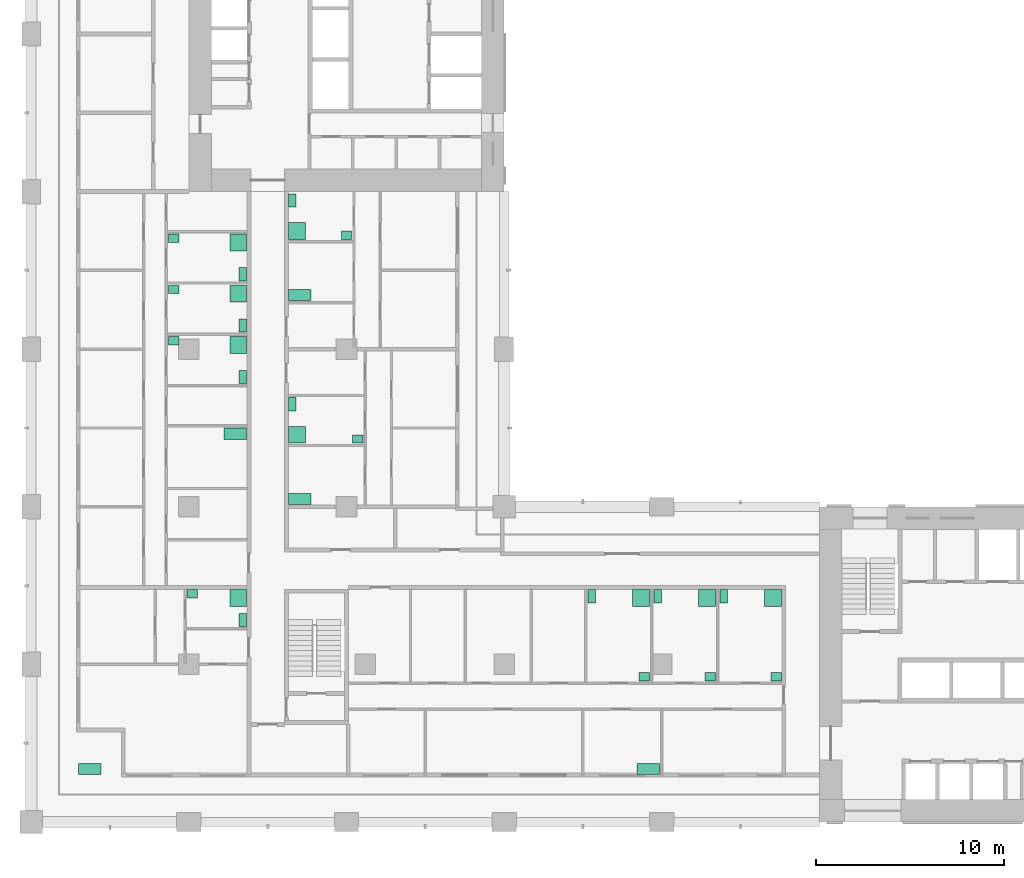
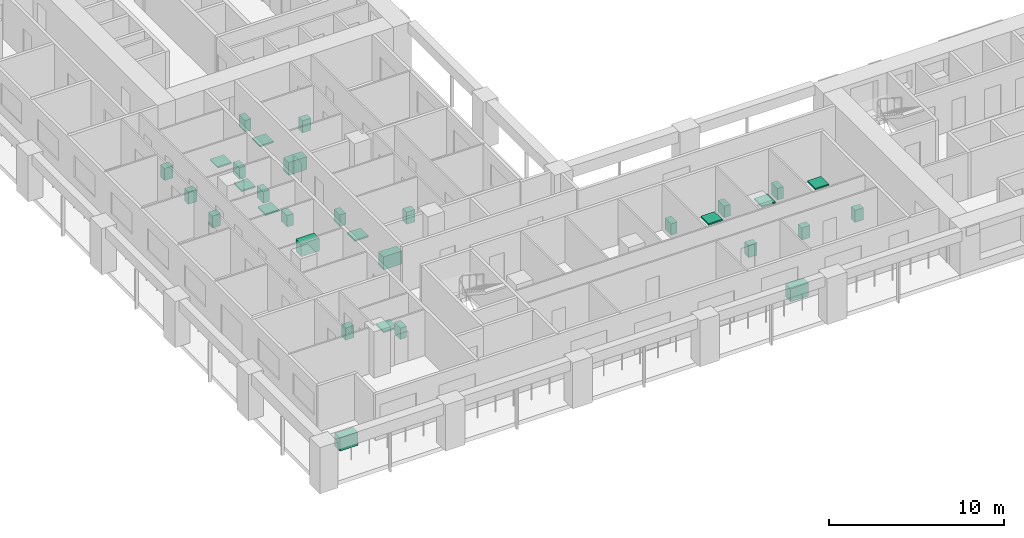
# One storey, part 17 of 17: 32 sanitary terminals.
"""IFC4 building model written with IfcOpenShell, lengths in metres."""

from ifc_helpers import new_model, si_unit, direction, frame, origin, origin_2d, place, context, subcontext, project, spatial, rectangle, extrude, material, element, save


model = new_model("IFC4")

# Units and contexts
model_context = context("Model", 3, precision=1e-05, world=origin(), true_north=direction((0.0, 1.0)))
body_context = subcontext(model_context, "Body", "Model", "MODEL_VIEW")
ifc_project = project(units=[si_unit("LENGTHUNIT", "METRE"), si_unit("AREAUNIT", "SQUARE_METRE"), si_unit("VOLUMEUNIT", "CUBIC_METRE"), si_unit("PLANEANGLEUNIT", "RADIAN"), si_unit("MASSUNIT", "GRAM", prefix="KILO")], contexts=[model_context])

# Site, building, storey
site_placement = place(None, origin())
site = spatial("IfcSite", under=ifc_project, at=site_placement, CompositionType="ELEMENT")
building_placement = place(site_placement, origin())
building = spatial("IfcBuilding", under=site, at=building_placement, Name="Vermilion Gate Residences", CompositionType="ELEMENT")
storey_placement = place(building_placement, frame((0.0, 0.0, 95.199951171875)))
storey = spatial("IfcBuildingStorey", under=building, at=storey_placement, Name="L23", CompositionType="ELEMENT", Elevation=95.199951171875)

# Sanitary terminals
ifc_material_1 = material(Name="Stainless steel", Category="steel")
sanitary_terminal_1_placement = place(storey_placement, frame((3.1201171875, 11.219970703125, 0.0), z_axis=(0.0, 0.0, 1.0), x_axis=(1.0, 0.0, 0.0)))
element("IfcSanitaryTerminal", 1, at=sanitary_terminal_1_placement, inside=storey, material=ifc_material_1, Name="Kitchen sink", PredefinedType="SINK", context=body_context, shape_type="SweptSolid", body=[
    extrude(rectangle(XDim=1.199951171875, YDim=0.60009765625, at=origin_2d()), origin(), (0.0, 0.0, 1.0), 0.89990234375),
])
ifc_material_2 = material(Name="Vitreous china")
sanitary_terminal_2_placement = place(storey_placement, frame((11.030029296875, 20.330078125, 0.0), z_axis=(0.0, 0.0, 1.0), x_axis=(1.0, 0.0, 0.0)))
element("IfcSanitaryTerminal", 2, at=sanitary_terminal_2_placement, inside=storey, material=ifc_material_2, Name="Shower tray", PredefinedType="SHOWER", context=body_context, shape_type="SweptSolid", body=[
    extrude(rectangle(XDim=0.89990234375, YDim=0.89990234375, at=origin_2d()), origin(), (0.0, 0.0, 1.0), 0.10009765625),
])
sanitary_terminal_3_placement = place(storey_placement, frame((11.280029296875, 19.169921875, 0.0), z_axis=(0.0, 0.0, 1.0), x_axis=(1.0, 0.0, 0.0)))
element("IfcSanitaryTerminal", 3, at=sanitary_terminal_3_placement, inside=storey, material=ifc_material_2, Name="Toilet", PredefinedType="TOILETPAN", context=body_context, shape_type="SweptSolid", body=[
    extrude(rectangle(XDim=0.39990234375, YDim=0.699951171875, at=origin_2d()), origin(), (0.0, 0.0, 1.0), 0.800048828125),
])
sanitary_terminal_4_placement = place(storey_placement, frame((8.594970703125, 20.554931640625, 0.0), z_axis=(0.0, 0.0, 1.0), x_axis=(1.0, 0.0, 0.0)))
element("IfcSanitaryTerminal", 4, at=sanitary_terminal_4_placement, inside=storey, material=ifc_material_2, Name="Wash basin", PredefinedType="WASHHANDBASIN", context=body_context, shape_type="SweptSolid", body=[
    extrude(rectangle(XDim=0.550048828125, YDim=0.449951171875, at=origin_2d()), origin(), (0.0, 0.0, 1.0), 0.85009765625),
])
sanitary_terminal_5_placement = place(storey_placement, frame((32.8798828125, 11.219970703125, 0.0), z_axis=(0.0, 0.0, 1.0), x_axis=(1.0, 0.0, 0.0)))
element("IfcSanitaryTerminal", 5, at=sanitary_terminal_5_placement, inside=storey, material=ifc_material_1, Name="Kitchen sink", PredefinedType="SINK", context=body_context, shape_type="SweptSolid", body=[
    extrude(rectangle(XDim=1.199951171875, YDim=0.60009765625, at=origin_2d()), origin(), (0.0, 0.0, 1.0), 0.89990234375),
])
sanitary_terminal_6_placement = place(storey_placement, frame((32.501953125, 20.330078125, 0.0), z_axis=(0.0, 0.0, 1.0), x_axis=(1.0, 0.0, 0.0)))
element("IfcSanitaryTerminal", 6, at=sanitary_terminal_6_placement, inside=storey, material=ifc_material_2, Name="Shower tray", PredefinedType="SHOWER", context=body_context, shape_type="SweptSolid", body=[
    extrude(rectangle(XDim=0.89990234375, YDim=0.89990234375, at=origin_2d()), origin(), (0.0, 0.0, 1.0), 0.10009765625),
])
sanitary_terminal_7_placement = place(storey_placement, frame((29.876953125, 20.429931640625, 0.0), z_axis=(0.0, 0.0, 1.0), x_axis=(1.0, 0.0, 0.0)))
element("IfcSanitaryTerminal", 7, at=sanitary_terminal_7_placement, inside=storey, material=ifc_material_2, Name="Toilet", PredefinedType="TOILETPAN", context=body_context, shape_type="SweptSolid", body=[
    extrude(rectangle(XDim=0.39990234375, YDim=0.699951171875, at=origin_2d()), origin(), (0.0, 0.0, 1.0), 0.800048828125),
])
sanitary_terminal_8_placement = place(storey_placement, frame((32.677001953125, 16.14501953125, 0.0), z_axis=(0.0, 0.0, 1.0), x_axis=(1.0, 0.0, 0.0)))
element("IfcSanitaryTerminal", 8, at=sanitary_terminal_8_placement, inside=storey, material=ifc_material_2, Name="Wash basin", PredefinedType="WASHHANDBASIN", context=body_context, shape_type="SweptSolid", body=[
    extrude(rectangle(XDim=0.550048828125, YDim=0.449951171875, at=origin_2d()), origin(), (0.0, 0.0, 1.0), 0.85009765625),
])
sanitary_terminal_9_placement = place(storey_placement, frame((36.01611328125, 20.330078125, 0.0), z_axis=(0.0, 0.0, 1.0), x_axis=(1.0, 0.0, 0.0)))
element("IfcSanitaryTerminal", 9, at=sanitary_terminal_9_placement, inside=storey, material=ifc_material_2, Name="Shower tray", PredefinedType="SHOWER", context=body_context, shape_type="SweptSolid", body=[
    extrude(rectangle(XDim=0.89990234375, YDim=0.89990234375, at=origin_2d()), origin(), (0.0, 0.0, 1.0), 0.10009765625),
])
sanitary_terminal_10_placement = place(storey_placement, frame((33.39208984375, 20.429931640625, 0.0), z_axis=(0.0, 0.0, 1.0), x_axis=(1.0, 0.0, 0.0)))
element("IfcSanitaryTerminal", 10, at=sanitary_terminal_10_placement, inside=storey, material=ifc_material_2, Name="Toilet", PredefinedType="TOILETPAN", context=body_context, shape_type="SweptSolid", body=[
    extrude(rectangle(XDim=0.39990234375, YDim=0.699951171875, at=origin_2d()), origin(), (0.0, 0.0, 1.0), 0.800048828125),
])
sanitary_terminal_11_placement = place(storey_placement, frame((36.19091796875, 16.14501953125, 0.0), z_axis=(0.0, 0.0, 1.0), x_axis=(1.0, 0.0, 0.0)))
element("IfcSanitaryTerminal", 11, at=sanitary_terminal_11_placement, inside=storey, material=ifc_material_2, Name="Wash basin", PredefinedType="WASHHANDBASIN", context=body_context, shape_type="SweptSolid", body=[
    extrude(rectangle(XDim=0.550048828125, YDim=0.449951171875, at=origin_2d()), origin(), (0.0, 0.0, 1.0), 0.85009765625),
])
sanitary_terminal_12_placement = place(storey_placement, frame((39.530029296875, 20.330078125, 0.0), z_axis=(0.0, 0.0, 1.0), x_axis=(1.0, 0.0, 0.0)))
element("IfcSanitaryTerminal", 12, at=sanitary_terminal_12_placement, inside=storey, material=ifc_material_2, Name="Shower tray", PredefinedType="SHOWER", context=body_context, shape_type="SweptSolid", body=[
    extrude(rectangle(XDim=0.89990234375, YDim=0.89990234375, at=origin_2d()), origin(), (0.0, 0.0, 1.0), 0.10009765625),
])
sanitary_terminal_13_placement = place(storey_placement, frame((36.906005859375, 20.429931640625, 0.0), z_axis=(0.0, 0.0, 1.0), x_axis=(1.0, 0.0, 0.0)))
element("IfcSanitaryTerminal", 13, at=sanitary_terminal_13_placement, inside=storey, material=ifc_material_2, Name="Toilet", PredefinedType="TOILETPAN", context=body_context, shape_type="SweptSolid", body=[
    extrude(rectangle(XDim=0.39990234375, YDim=0.699951171875, at=origin_2d()), origin(), (0.0, 0.0, 1.0), 0.800048828125),
])
sanitary_terminal_14_placement = place(storey_placement, frame((39.705078125, 16.14501953125, 0.0), z_axis=(0.0, 0.0, 1.0), x_axis=(1.0, 0.0, 0.0)))
element("IfcSanitaryTerminal", 14, at=sanitary_terminal_14_placement, inside=storey, material=ifc_material_2, Name="Wash basin", PredefinedType="WASHHANDBASIN", context=body_context, shape_type="SweptSolid", body=[
    extrude(rectangle(XDim=0.550048828125, YDim=0.449951171875, at=origin_2d()), origin(), (0.0, 0.0, 1.0), 0.85009765625),
])
sanitary_terminal_15_placement = place(storey_placement, frame((10.8798828125, 29.093017578125, 0.0), z_axis=(0.0, 0.0, 1.0), x_axis=(1.0, 0.0, 0.0)))
element("IfcSanitaryTerminal", 15, at=sanitary_terminal_15_placement, inside=storey, material=ifc_material_1, Name="Kitchen sink", PredefinedType="SINK", context=body_context, shape_type="SweptSolid", body=[
    extrude(rectangle(XDim=1.199951171875, YDim=0.60009765625, at=origin_2d()), origin(), (0.0, 0.0, 1.0), 0.89990234375),
])
sanitary_terminal_16_placement = place(storey_placement, frame((11.030029296875, 33.818115234375, 0.0), z_axis=(0.0, 0.0, 1.0), x_axis=(1.0, 0.0, 0.0)))
element("IfcSanitaryTerminal", 16, at=sanitary_terminal_16_placement, inside=storey, material=ifc_material_2, Name="Shower tray", PredefinedType="SHOWER", context=body_context, shape_type="SweptSolid", body=[
    extrude(rectangle(XDim=0.89990234375, YDim=0.89990234375, at=origin_2d()), origin(), (0.0, 0.0, 1.0), 0.10009765625),
])
sanitary_terminal_17_placement = place(storey_placement, frame((11.280029296875, 32.1201171875, 0.0), z_axis=(0.0, 0.0, 1.0), x_axis=(1.0, 0.0, 0.0)))
element("IfcSanitaryTerminal", 17, at=sanitary_terminal_17_placement, inside=storey, material=ifc_material_2, Name="Toilet", PredefinedType="TOILETPAN", context=body_context, shape_type="SweptSolid", body=[
    extrude(rectangle(XDim=0.39990234375, YDim=0.699951171875, at=origin_2d()), origin(), (0.0, 0.0, 1.0), 0.800048828125),
])
sanitary_terminal_18_placement = place(storey_placement, frame((7.594970703125, 34.04296875, 0.0), z_axis=(0.0, 0.0, 1.0), x_axis=(1.0, 0.0, 0.0)))
element("IfcSanitaryTerminal", 18, at=sanitary_terminal_18_placement, inside=storey, material=ifc_material_2, Name="Wash basin", PredefinedType="WASHHANDBASIN", context=body_context, shape_type="SweptSolid", body=[
    extrude(rectangle(XDim=0.550048828125, YDim=0.449951171875, at=origin_2d()), origin(), (0.0, 0.0, 1.0), 0.85009765625),
])
sanitary_terminal_19_placement = place(storey_placement, frame((11.030029296875, 36.554931640625, 0.0), z_axis=(0.0, 0.0, 1.0), x_axis=(1.0, 0.0, 0.0)))
element("IfcSanitaryTerminal", 19, at=sanitary_terminal_19_placement, inside=storey, material=ifc_material_2, Name="Shower tray", PredefinedType="SHOWER", context=body_context, shape_type="SweptSolid", body=[
    extrude(rectangle(XDim=0.89990234375, YDim=0.89990234375, at=origin_2d()), origin(), (0.0, 0.0, 1.0), 0.10009765625),
])
sanitary_terminal_20_placement = place(storey_placement, frame((11.280029296875, 34.85791015625, 0.0), z_axis=(0.0, 0.0, 1.0), x_axis=(1.0, 0.0, 0.0)))
element("IfcSanitaryTerminal", 20, at=sanitary_terminal_20_placement, inside=storey, material=ifc_material_2, Name="Toilet", PredefinedType="TOILETPAN", context=body_context, shape_type="SweptSolid", body=[
    extrude(rectangle(XDim=0.39990234375, YDim=0.699951171875, at=origin_2d()), origin(), (0.0, 0.0, 1.0), 0.800048828125),
])
sanitary_terminal_21_placement = place(storey_placement, frame((7.594970703125, 36.780029296875, 0.0), z_axis=(0.0, 0.0, 1.0), x_axis=(1.0, 0.0, 0.0)))
element("IfcSanitaryTerminal", 21, at=sanitary_terminal_21_placement, inside=storey, material=ifc_material_2, Name="Wash basin", PredefinedType="WASHHANDBASIN", context=body_context, shape_type="SweptSolid", body=[
    extrude(rectangle(XDim=0.550048828125, YDim=0.449951171875, at=origin_2d()), origin(), (0.0, 0.0, 1.0), 0.85009765625),
])
sanitary_terminal_22_placement = place(storey_placement, frame((11.030029296875, 39.29296875, 0.0), z_axis=(0.0, 0.0, 1.0), x_axis=(1.0, 0.0, 0.0)))
element("IfcSanitaryTerminal", 22, at=sanitary_terminal_22_placement, inside=storey, material=ifc_material_2, Name="Shower tray", PredefinedType="SHOWER", context=body_context, shape_type="SweptSolid", body=[
    extrude(rectangle(XDim=0.89990234375, YDim=0.89990234375, at=origin_2d()), origin(), (0.0, 0.0, 1.0), 0.10009765625),
])
sanitary_terminal_23_placement = place(storey_placement, frame((11.280029296875, 37.594970703125, 0.0), z_axis=(0.0, 0.0, 1.0), x_axis=(1.0, 0.0, 0.0)))
element("IfcSanitaryTerminal", 23, at=sanitary_terminal_23_placement, inside=storey, material=ifc_material_2, Name="Toilet", PredefinedType="TOILETPAN", context=body_context, shape_type="SweptSolid", body=[
    extrude(rectangle(XDim=0.39990234375, YDim=0.699951171875, at=origin_2d()), origin(), (0.0, 0.0, 1.0), 0.800048828125),
])
sanitary_terminal_24_placement = place(storey_placement, frame((7.594970703125, 39.51806640625, 0.0), z_axis=(0.0, 0.0, 1.0), x_axis=(1.0, 0.0, 0.0)))
element("IfcSanitaryTerminal", 24, at=sanitary_terminal_24_placement, inside=storey, material=ifc_material_2, Name="Wash basin", PredefinedType="WASHHANDBASIN", context=body_context, shape_type="SweptSolid", body=[
    extrude(rectangle(XDim=0.550048828125, YDim=0.449951171875, at=origin_2d()), origin(), (0.0, 0.0, 1.0), 0.85009765625),
])
sanitary_terminal_25_placement = place(storey_placement, frame((14.320068359375, 25.6201171875, 0.0), z_axis=(0.0, 0.0, 1.0), x_axis=(1.0, 0.0, 0.0)))
element("IfcSanitaryTerminal", 25, at=sanitary_terminal_25_placement, inside=storey, material=ifc_material_1, Name="Kitchen sink", PredefinedType="SINK", context=body_context, shape_type="SweptSolid", body=[
    extrude(rectangle(XDim=1.199951171875, YDim=0.60009765625, at=origin_2d()), origin(), (0.0, 0.0, 1.0), 0.89990234375),
])
sanitary_terminal_26_placement = place(storey_placement, frame((14.169921875, 29.037109375, 0.0), z_axis=(0.0, 0.0, 1.0), x_axis=(1.0, 0.0, 0.0)))
element("IfcSanitaryTerminal", 26, at=sanitary_terminal_26_placement, inside=storey, material=ifc_material_2, Name="Shower tray", PredefinedType="SHOWER", context=body_context, shape_type="SweptSolid", body=[
    extrude(rectangle(XDim=0.89990234375, YDim=0.89990234375, at=origin_2d()), origin(), (0.0, 0.0, 1.0), 0.10009765625),
])
sanitary_terminal_27_placement = place(storey_placement, frame((13.919921875, 30.6630859375, 0.0), z_axis=(0.0, 0.0, 1.0), x_axis=(1.0, 0.0, 0.0)))
element("IfcSanitaryTerminal", 27, at=sanitary_terminal_27_placement, inside=storey, material=ifc_material_2, Name="Toilet", PredefinedType="TOILETPAN", context=body_context, shape_type="SweptSolid", body=[
    extrude(rectangle(XDim=0.39990234375, YDim=0.699951171875, at=origin_2d()), origin(), (0.0, 0.0, 1.0), 0.800048828125),
])
sanitary_terminal_28_placement = place(storey_placement, frame((17.405029296875, 28.81201171875, 0.0), z_axis=(0.0, 0.0, 1.0), x_axis=(1.0, 0.0, 0.0)))
element("IfcSanitaryTerminal", 28, at=sanitary_terminal_28_placement, inside=storey, material=ifc_material_2, Name="Wash basin", PredefinedType="WASHHANDBASIN", context=body_context, shape_type="SweptSolid", body=[
    extrude(rectangle(XDim=0.550048828125, YDim=0.449951171875, at=origin_2d()), origin(), (0.0, 0.0, 1.0), 0.85009765625),
])
sanitary_terminal_29_placement = place(storey_placement, frame((14.320068359375, 36.487060546875, 0.0), z_axis=(0.0, 0.0, 1.0), x_axis=(1.0, 0.0, 0.0)))
element("IfcSanitaryTerminal", 29, at=sanitary_terminal_29_placement, inside=storey, material=ifc_material_1, Name="Kitchen sink", PredefinedType="SINK", context=body_context, shape_type="SweptSolid", body=[
    extrude(rectangle(XDim=1.199951171875, YDim=0.60009765625, at=origin_2d()), origin(), (0.0, 0.0, 1.0), 0.89990234375),
])
sanitary_terminal_30_placement = place(storey_placement, frame((14.169921875, 39.903076171875, 0.0), z_axis=(0.0, 0.0, 1.0), x_axis=(1.0, 0.0, 0.0)))
element("IfcSanitaryTerminal", 30, at=sanitary_terminal_30_placement, inside=storey, material=ifc_material_2, Name="Shower tray", PredefinedType="SHOWER", context=body_context, shape_type="SweptSolid", body=[
    extrude(rectangle(XDim=0.89990234375, YDim=0.89990234375, at=origin_2d()), origin(), (0.0, 0.0, 1.0), 0.10009765625),
])
sanitary_terminal_31_placement = place(storey_placement, frame((13.919921875, 41.530029296875, 0.0), z_axis=(0.0, 0.0, 1.0), x_axis=(1.0, 0.0, 0.0)))
element("IfcSanitaryTerminal", 31, at=sanitary_terminal_31_placement, inside=storey, material=ifc_material_2, Name="Toilet", PredefinedType="TOILETPAN", context=body_context, shape_type="SweptSolid", body=[
    extrude(rectangle(XDim=0.39990234375, YDim=0.699951171875, at=origin_2d()), origin(), (0.0, 0.0, 1.0), 0.800048828125),
])
sanitary_terminal_32_placement = place(storey_placement, frame((16.804931640625, 39.677978515625, 0.0), z_axis=(0.0, 0.0, 1.0), x_axis=(1.0, 0.0, 0.0)))
element("IfcSanitaryTerminal", 32, at=sanitary_terminal_32_placement, inside=storey, material=ifc_material_2, Name="Wash basin", PredefinedType="WASHHANDBASIN", context=body_context, shape_type="SweptSolid", body=[
    extrude(rectangle(XDim=0.550048828125, YDim=0.449951171875, at=origin_2d()), origin(), (0.0, 0.0, 1.0), 0.85009765625),
])

save(model, "model.ifc")
